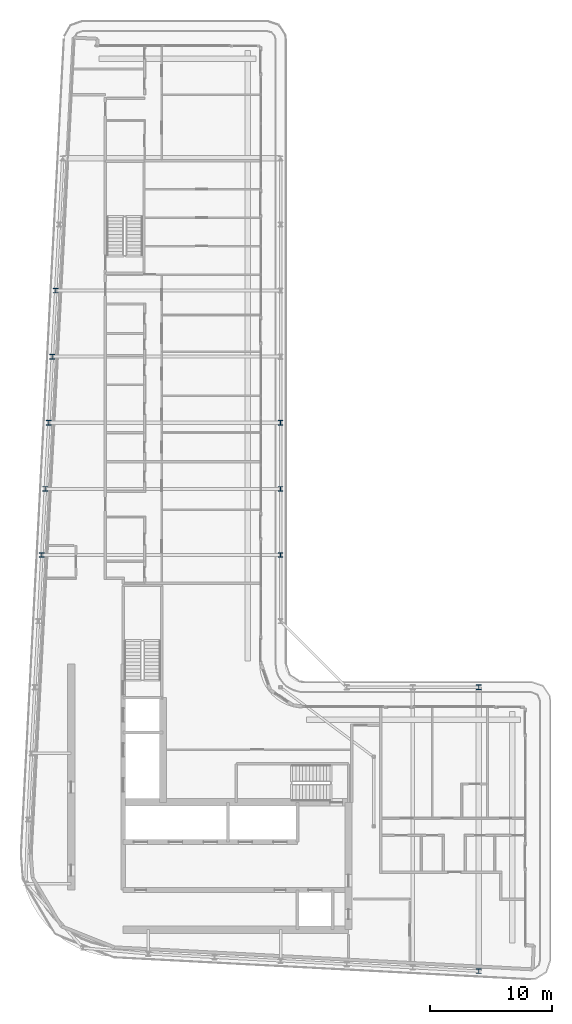
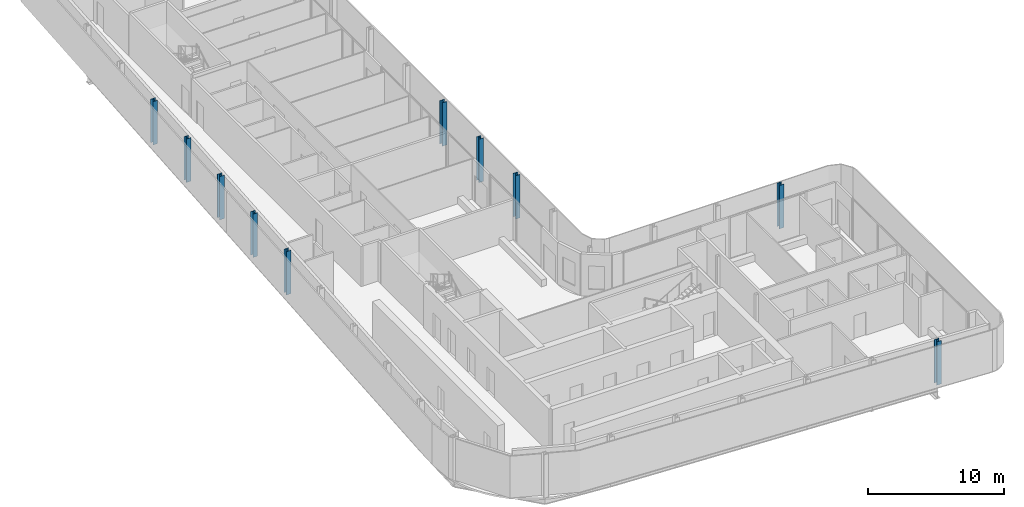
# One storey, part 3 of 21: 10 columns.
"""IFC4 building model written with IfcOpenShell, lengths in metres."""

from ifc_helpers import new_model, si_unit, direction, frame, origin, origin_2d, place, context, subcontext, project, spatial, i_section, extrude, material, material_profile, profile_set, type_object, element, save


model = new_model("IFC4")

# Units and contexts
model_context = context("Model", 3, precision=1e-05, world=origin(), true_north=direction((0.0, 1.0)))
body_context = subcontext(model_context, "Body", "Model", "MODEL_VIEW")
ifc_project = project(units=[si_unit("LENGTHUNIT", "METRE"), si_unit("AREAUNIT", "SQUARE_METRE"), si_unit("VOLUMEUNIT", "CUBIC_METRE"), si_unit("PLANEANGLEUNIT", "RADIAN"), si_unit("MASSUNIT", "GRAM", prefix="KILO")], contexts=[model_context])

# Site, building, storey
site_placement = place(None, origin())
site = spatial("IfcSite", under=ifc_project, at=site_placement, CompositionType="ELEMENT")
building_placement = place(site_placement, origin())
building = spatial("IfcBuilding", under=site, at=building_placement, Name="Kheshtan School and Residences Tower", CompositionType="ELEMENT")
storey_placement = place(building_placement, frame((0.0, 0.0, 290.300048828125)))
storey = spatial("IfcBuildingStorey", under=building, at=storey_placement, Name="L68", CompositionType="ELEMENT", Elevation=290.300048828125)

# Columns
ifc_material = material(Name="Steel ASTM A992 Grade 50", Category="steel")
ifc_material_profile = material_profile(ifc_material, i_section(OverallWidth=0.39501953125, OverallDepth=0.3798828125, WebThickness=0.018798828125, FlangeThickness=0.0302734375, FilletRadius=0.011474609375, at=origin_2d()), Name="W360x237")
ifc_profile_set = profile_set([ifc_material_profile], Name="Steel ASTM A992 Grade 50")
column_type = type_object("IfcColumnType", Name="Column C5 W360x237 ASTM A992 Grade 50", PredefinedType="COLUMN", material=ifc_profile_set)
for number, where, z_axis, x_axis, name in (
    (1, (63.800048828125, 22.410888671875, 0.0), (0.0, 0.0, 1.0), (1.0, 0.0, 0.0), "Column C016"),
    (2, (63.800048828125, 45.60009765625, 0.0), (0.0, 0.0, 1.0), (1.0, 0.0, 0.0), "Column C063"),
    (3, (28.10595703125, 56.39990234375, 0.0), (0.0, 0.0, 1.0), (1.0, 0.0, 0.0), "Column C080"),
    (4, (47.60009765625, 56.39990234375, 0.0), (0.0, 0.0, 1.0), (1.0, 0.0, 0.0), "Column C081"),
    (5, (28.389892578125, 61.800048828125, 0.0), (0.0, 0.0, 1.0), (1.0, 0.0, 0.0), "Column C082"),
    (6, (47.60009765625, 61.800048828125, 0.0), (0.0, 0.0, 1.0), (1.0, 0.0, 0.0), "Column C083"),
    (7, (28.674072265625, 67.199951171875, 0.0), (0.0, 0.0, 1.0), (1.0, 0.0, 0.0), "Column C084"),
    (8, (47.60009765625, 67.199951171875, 0.0), (0.0, 0.0, 1.0), (1.0, 0.0, 0.0), "Column C085"),
    (9, (28.9580078125, 72.60009765625, 0.0), (0.0, 0.0, 1.0), (1.0, 0.0, 0.0), "Column C086"),
    (10, (29.242919921875, 78.0, 0.0), (0.0, 0.0, 1.0), (1.0, 0.0, 0.0), "Column C088"),
):
    element("IfcColumn", number, at=place(storey_placement, frame(where, z_axis=z_axis, x_axis=x_axis)), inside=storey, type_object=column_type, Name=name, PredefinedType="COLUMN", context=body_context, shape_type="SweptSolid", body=[
        extrude(i_section(OverallWidth=0.39501953125, OverallDepth=0.3798828125, WebThickness=0.018798828125, FlangeThickness=0.0302734375, FilletRadius=0.011474609375, at=origin_2d()), origin(), (0.0, 0.0, 1.0), 3.89990234375),
    ])

save(model, "model.ifc")
